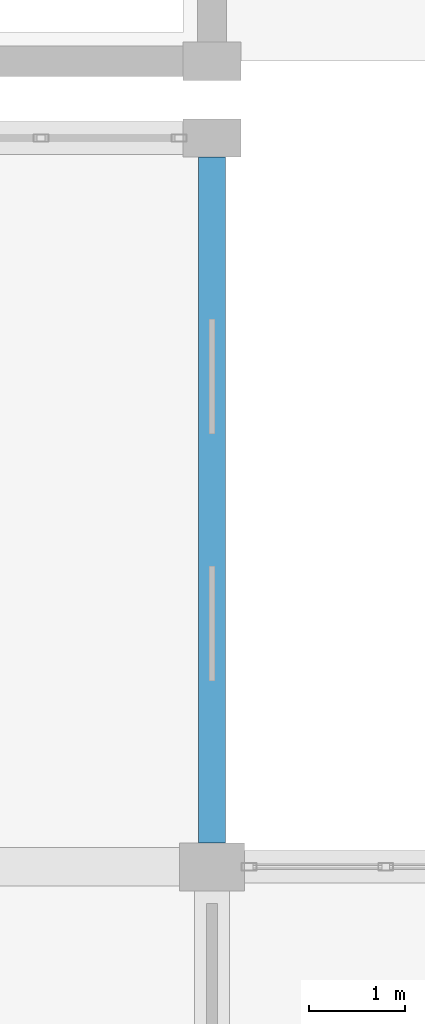
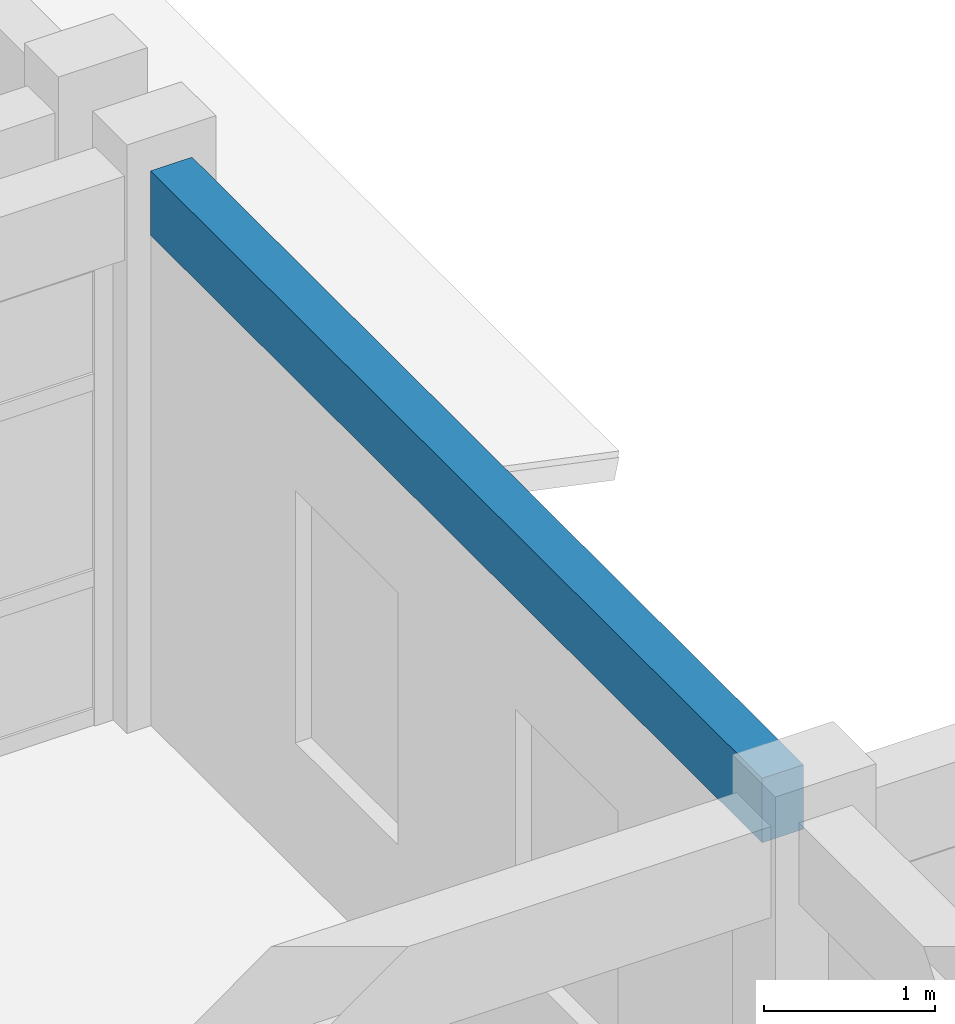
# One storey, part 28 of 121: 1 beam.
"""IFC4 building model written with IfcOpenShell, lengths in metres."""

from ifc_helpers import new_model, si_unit, direction, frame, origin, origin_2d, place, context, subcontext, project, spatial, rectangle, extrude, material, material_profile, profile_set, type_object, element, save


model = new_model("IFC4")

# Units and contexts
model_context = context("Model", 3, precision=1e-05, world=origin(), true_north=direction((0.0, 1.0)))
body_context = subcontext(model_context, "Body", "Model", "MODEL_VIEW")
ifc_project = project(units=[si_unit("LENGTHUNIT", "METRE"), si_unit("AREAUNIT", "SQUARE_METRE"), si_unit("VOLUMEUNIT", "CUBIC_METRE"), si_unit("PLANEANGLEUNIT", "RADIAN"), si_unit("MASSUNIT", "GRAM", prefix="KILO")], contexts=[model_context])

# Site, building, storey
site_placement = place(None, origin())
site = spatial("IfcSite", under=ifc_project, at=site_placement, CompositionType="ELEMENT")
building_placement = place(site_placement, origin())
building = spatial("IfcBuilding", under=site, at=building_placement, Name="Kharva Crest Polytechnic", CompositionType="ELEMENT")
storey_placement = place(building_placement, frame((0.0, 0.0, 13.199951171875)))
storey = spatial("IfcBuildingStorey", under=building, at=storey_placement, Name="L03", CompositionType="ELEMENT", Elevation=13.199951171875)

# Beam
ifc_material = material(Name="Concrete C35/45", Category="concrete")
ifc_material_profile = material_profile(ifc_material, rectangle(XDim=0.280029296875, YDim=0.4599609375, at=origin_2d()), Name="RECT 280 X 460")
ifc_profile_set = profile_set([ifc_material_profile], Name="Concrete C35/45")
beam_type = type_object("IfcBeamType", Name="SP-RC-280X460", PredefinedType="SPANDREL", material=ifc_profile_set)
beam_placement = place(storey_placement, frame((48.0, 30.64990234375, 3.72998046875), z_axis=(0.0, 1.0, 0.0), x_axis=(-1.0, 0.0, 0.0)))
element("IfcBeam", 1, at=beam_placement, inside=storey, type_object=beam_type, Name="L03 Girder 7/E-F", PredefinedType="SPANDREL", context=body_context, shape_type="SweptSolid", body=[
    extrude(rectangle(XDim=0.280029296875, YDim=0.4599609375, at=origin_2d()), origin(), (0.0, 0.0, 1.0), 7.150146484375),
])

save(model, "model.ifc")
